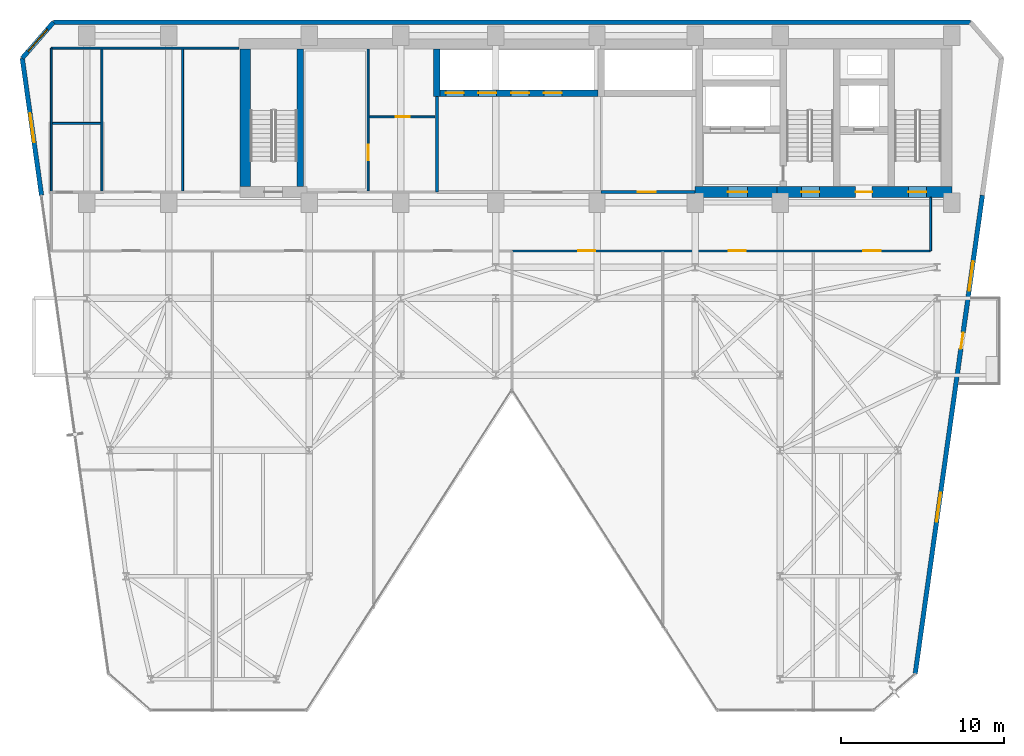
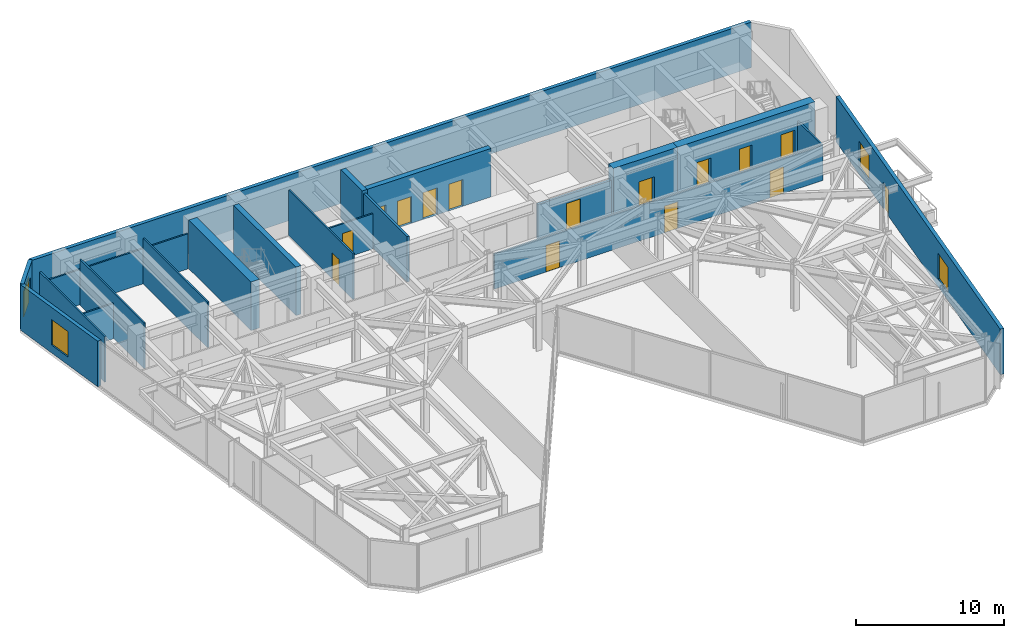
# One storey, part 22 of 26: 21 walls, 15 doors, 4 windows, 19 openings.
"""IFC4 building model written with IfcOpenShell, lengths in metres."""

from ifc_helpers import new_model, si_unit, direction, frame, frame_2d, origin, place, context, subcontext, project, spatial, rectangle, extrude, material, layer, layer_set, type_object, element, fill, save


model = new_model("IFC4")

# Units and contexts
model_context = context("Model", 3, precision=1e-05, world=origin(), true_north=direction((0.0, 1.0)))
body_context = subcontext(model_context, "Body", "Model", "MODEL_VIEW")
ifc_project = project(units=[si_unit("LENGTHUNIT", "METRE"), si_unit("AREAUNIT", "SQUARE_METRE"), si_unit("VOLUMEUNIT", "CUBIC_METRE"), si_unit("PLANEANGLEUNIT", "RADIAN"), si_unit("MASSUNIT", "GRAM", prefix="KILO")], contexts=[model_context])

# Site, building, storey
site_placement = place(None, origin())
site = spatial("IfcSite", under=ifc_project, at=site_placement, CompositionType="ELEMENT")
building_placement = place(site_placement, origin())
building = spatial("IfcBuilding", under=site, at=building_placement, Name="Kravanh Interchange Tower", CompositionType="ELEMENT")
storey_placement = place(building_placement, frame((0.0, 0.0, 100.0)))
storey = spatial("IfcBuildingStorey", under=building, at=storey_placement, Name="L23", CompositionType="ELEMENT", Elevation=100.0)

# Wall, opening, door
ifc_material_1 = material(Name="Double Acoustic Gypsum Board and Mineral Wool")
ifc_layer_1 = layer(ifc_material_1, 0.1201171875)
ifc_layer_set_1 = layer_set([ifc_layer_1], Name="Acoustic Office Drywall Partition 120mm")
wall_type_1 = type_object("IfcWallType", Name="Acoustic Office Drywall Partition 120mm", PredefinedType="PARTITIONING", material=ifc_layer_set_1)
wall_1_placement = place(storey_placement, frame((30.800048828125, 38.068115234375, 0.0), z_axis=(0.0, 0.0, 1.0), x_axis=(0.0, 1.0, 0.0)))
wall_1 = element("IfcWall", 1, at=wall_1_placement, inside=storey, type_object=wall_type_1, Name="L23 Interior Partition 4", PredefinedType="PARTITIONING", context=body_context, shape_type="SweptSolid", body=[
    extrude(rectangle(XDim=8.673828125, YDim=0.1201171875, at=frame_2d((4.3369140625, 0.0))), origin(), (0.0, 0.0, 1.0), 3.75),
])
opening_1_placement = place(wall_1_placement, frame((1.865234375, 0.0, 0.0)))
opening_1 = element("IfcOpeningElement", 2, at=opening_1_placement, cuts=wall_1, Name="Opening D-95", PredefinedType="OPENING", context=body_context, shape_type="SweptSolid", body=[
    extrude(rectangle(XDim=0.949951171875, YDim=2.14990234375, at=frame_2d((0.47509765625, 1.074951171875))), frame((0.0, 0.070068359375, 0.0), z_axis=(0.0, -1.0, 0.0), x_axis=(1.0, 0.0, 0.0)), (0.0, 0.0, 1.0), 0.14013671875),
])
ifc_material_2 = material(Name="Laminate Solid-Core Timber", Category="wood")
door_type_1 = type_object("IfcDoorType", Name="Accessible Restroom Door 950x2150", OperationType="NOTDEFINED", PredefinedType="DOOR", material=ifc_material_2)
door_1_placement = place(opening_1_placement, origin())
door_1 = element("IfcDoor", 3, at=door_1_placement, inside=storey, type_object=door_type_1, Name="L23 Copy Hub Inner Door", OperationType="SINGLE_SWING_RIGHT", OverallHeight=2.14990234375, OverallWidth=0.949951171875, PredefinedType="DOOR", context=body_context, shape_type="SweptSolid", body=[
    extrude(rectangle(XDim=0.949951171875, YDim=2.14990234375, at=frame_2d((0.47509765625, 1.074951171875))), frame((0.0, 0.02490234375, 0.0), z_axis=(0.0, -1.0, 0.0), x_axis=(1.0, 0.0, 0.0)), (0.0, 0.0, 1.0), 0.050048828125),
])
fill(opening_1, door_1)

wall_2_placement = place(storey_placement, frame((30.867919921875, 42.60009765625, 0.0), z_axis=(0.0, 0.0, 1.0), x_axis=(1.0, 0.0, 0.0)))
wall_2 = element("IfcWall", 4, at=wall_2_placement, inside=storey, type_object=wall_type_1, Name="L23 Interior Partition 5", PredefinedType="PARTITIONING", context=body_context, shape_type="SweptSolid", body=[
    extrude(rectangle(XDim=4.01416015625, YDim=0.1201171875, at=frame_2d((2.007080078125, 0.0))), origin(), (0.0, 0.0, 1.0), 2.89404296875),
])
opening_2_placement = place(wall_2_placement, frame((1.622314453125, 0.0, 0.0)))
opening_2 = element("IfcOpeningElement", 5, at=opening_2_placement, cuts=wall_2, Name="Opening D-85", PredefinedType="OPENING", context=body_context, shape_type="SweptSolid", body=[
    extrude(rectangle(XDim=0.85009765625, YDim=2.10009765625, at=frame_2d((0.425048828125, 1.050048828125))), frame((0.0, 0.070068359375, 0.0), z_axis=(0.0, -1.0, 0.0), x_axis=(1.0, 0.0, 0.0)), (0.0, 0.0, 1.0), 0.14013671875),
])
ifc_material_3 = material(Name="Engineered Teak Veneer Timber", Category="wood")
door_type_2 = type_object("IfcDoorType", Name="En-Suite Timber Door 850x2100", OperationType="NOTDEFINED", PredefinedType="DOOR", material=ifc_material_3)
door_2_placement = place(opening_2_placement, origin())
door_2 = element("IfcDoor", 6, at=door_2_placement, inside=storey, type_object=door_type_2, Name="L23 Records Store Inner Door", OperationType="SINGLE_SWING_LEFT", OverallHeight=2.10009765625, OverallWidth=0.85009765625, PredefinedType="DOOR", context=body_context, shape_type="SweptSolid", body=[
    extrude(rectangle(XDim=0.85009765625, YDim=2.10009765625, at=frame_2d((0.425048828125, 1.050048828125))), frame((0.0, 0.02490234375, 0.0), z_axis=(0.0, -1.0, 0.0), x_axis=(1.0, 0.0, 0.0)), (0.0, 0.0, 1.0), 0.050048828125),
])
fill(opening_2, door_2)

# Walls
wall_3_placement = place(storey_placement, frame((11.419921875, 38.0, 0.0), z_axis=(0.0, 0.0, 1.0), x_axis=(0.0, 1.0, 0.0)))
element("IfcWall", 7, at=wall_3_placement, inside=storey, type_object=wall_type_1, Name="L23 Restroom West Enclosure 8", PredefinedType="PARTITIONING", context=body_context, shape_type="SweptSolid", body=[
    extrude(rectangle(XDim=8.800048828125, YDim=0.1201171875, at=frame_2d((4.39990234375, 0.0))), origin(), (0.0, 0.0, 1.0), 3.75),
])
wall_4_placement = place(storey_placement, frame((11.419921875, 46.800048828125, 0.0), z_axis=(0.0, 0.0, 1.0), x_axis=(1.0, 0.0, 0.0)))
element("IfcWall", 8, at=wall_4_placement, inside=storey, type_object=wall_type_1, Name="L23 Restroom North Enclosure 9", PredefinedType="PARTITIONING", context=body_context, shape_type="SweptSolid", body=[
    extrude(rectangle(XDim=11.47998046875, YDim=0.1201171875, at=frame_2d((5.739990234375, 0.0))), origin(), (0.0, 0.0, 1.0), 2.89404296875),
])
for number, where, z_axis, x_axis, name in (
    (9, (14.52001953125, 38.068115234375, 0.0), (0.0, 0.0, 1.0), (0.0, 1.0, 0.0), "L23 Interior Partition 10"),
    (10, (19.449951171875, 38.068115234375, 0.0), (0.0, 0.0, 1.0), (0.0, 1.0, 0.0), "L23 Interior Partition 11"),
):
    element("IfcWall", number, at=place(storey_placement, frame(where, z_axis=z_axis, x_axis=x_axis)), inside=storey, type_object=wall_type_1, Name=name, PredefinedType="PARTITIONING", context=body_context, shape_type="SweptSolid", body=[
        extrude(rectangle(XDim=8.663818359375, YDim=0.1201171875, at=frame_2d((4.33203125, 0.0))), origin(), (0.0, 0.0, 1.0), 3.75),
    ])
wall_5_placement = place(storey_placement, frame((11.488037109375, 42.199951171875, 0.0), z_axis=(0.0, 0.0, 1.0), x_axis=(1.0, 0.0, 0.0)))
element("IfcWall", 11, at=wall_5_placement, inside=storey, type_object=wall_type_1, Name="L23 Interior Partition 12", PredefinedType="PARTITIONING", context=body_context, shape_type="SweptSolid", body=[
    extrude(rectangle(XDim=2.9638671875, YDim=0.1201171875, at=frame_2d((1.48193359375, 0.0))), origin(), (0.0, 0.0, 1.0), 2.89404296875),
])

# Wall, openings, doors
wall_6_placement = place(storey_placement, frame((39.60009765625, 34.39990234375, 0.0), z_axis=(0.0, 0.0, 1.0), x_axis=(1.0, 0.0, 0.0)))
wall_6 = element("IfcWall", 12, at=wall_6_placement, inside=storey, type_object=wall_type_1, Name="L23 Interior Partition 14", PredefinedType="PARTITIONING", context=body_context, shape_type="SweptSolid", body=[
    extrude(rectangle(XDim=25.599853515625, YDim=0.1201171875, at=frame_2d((12.7998046875, 0.0))), origin(), (0.0, 0.0, 1.0), 2.89404296875),
])
opening_3_placement = place(wall_6_placement, frame((4.044677734375, 0.0, 0.0)))
opening_3 = element("IfcOpeningElement", 13, at=opening_3_placement, cuts=wall_6, Name="Opening D-105", PredefinedType="OPENING", context=body_context, shape_type="SweptSolid", body=[
    extrude(rectangle(XDim=1.050048828125, YDim=2.199951171875, at=frame_2d((0.52490234375, 1.10009765625))), frame((0.0, 0.070068359375, 0.0), z_axis=(0.0, -1.0, 0.0), x_axis=(1.0, 0.0, 0.0)), (0.0, 0.0, 1.0), 0.14013671875),
])
opening_4_placement = place(wall_6_placement, frame((13.259765625, 0.0, 0.0)))
opening_4 = element("IfcOpeningElement", 14, at=opening_4_placement, cuts=wall_6, Name="Opening D-105", PredefinedType="OPENING", context=body_context, shape_type="SweptSolid", body=[
    extrude(rectangle(XDim=1.050048828125, YDim=2.199951171875, at=frame_2d((0.52490234375, 1.10009765625))), frame((0.0, 0.070068359375, 0.0), z_axis=(0.0, -1.0, 0.0), x_axis=(1.0, 0.0, 0.0)), (0.0, 0.0, 1.0), 0.14013671875),
])
opening_5_placement = place(wall_6_placement, frame((21.489990234375, 0.0, 0.0)))
opening_5 = element("IfcOpeningElement", 15, at=opening_5_placement, cuts=wall_6, Name="Opening D-105", PredefinedType="OPENING", context=body_context, shape_type="SweptSolid", body=[
    extrude(rectangle(XDim=1.050048828125, YDim=2.199951171875, at=frame_2d((0.52490234375, 1.10009765625))), frame((0.0, 0.070068359375, 0.0), z_axis=(0.0, -1.0, 0.0), x_axis=(1.0, 0.0, 0.0)), (0.0, 0.0, 1.0), 0.14013671875),
])
ifc_material_4 = material(Name="Acoustic Glazed Oak and Aluminium", Category="aluminium")
door_type_3 = type_object("IfcDoorType", Name="Office Workplace Door 1050x2200", OperationType="NOTDEFINED", PredefinedType="DOOR", material=ifc_material_4)
door_3_placement = place(opening_3_placement, origin())
door_3 = element("IfcDoor", 16, at=door_3_placement, inside=storey, type_object=door_type_3, Name="L23 Central Executive Office Door", OperationType="SINGLE_SWING_LEFT", OverallHeight=2.199951171875, OverallWidth=1.050048828125, PredefinedType="DOOR", context=body_context, shape_type="SweptSolid", body=[
    extrude(rectangle(XDim=1.050048828125, YDim=2.199951171875, at=frame_2d((0.52490234375, 1.10009765625))), frame((0.0, 0.02490234375, 0.0), z_axis=(0.0, -1.0, 0.0), x_axis=(1.0, 0.0, 0.0)), (0.0, 0.0, 1.0), 0.050048828125),
])
fill(opening_3, door_3)
door_4_placement = place(opening_4_placement, origin())
door_4 = element("IfcDoor", 17, at=door_4_placement, inside=storey, type_object=door_type_3, Name="L23 East Balcony Office Door", OperationType="SINGLE_SWING_RIGHT", OverallHeight=2.199951171875, OverallWidth=1.050048828125, PredefinedType="DOOR", context=body_context, shape_type="SweptSolid", body=[
    extrude(rectangle(XDim=1.050048828125, YDim=2.199951171875, at=frame_2d((0.52490234375, 1.10009765625))), frame((0.0, 0.02490234375, 0.0), z_axis=(0.0, -1.0, 0.0), x_axis=(1.0, 0.0, 0.0)), (0.0, 0.0, 1.0), 0.050048828125),
])
fill(opening_4, door_4)
door_5_placement = place(opening_5_placement, origin())
door_5 = element("IfcDoor", 18, at=door_5_placement, inside=storey, type_object=door_type_3, Name="L23 SE Corner Lounge Door", OperationType="SINGLE_SWING_LEFT", OverallHeight=2.199951171875, OverallWidth=1.050048828125, PredefinedType="DOOR", context=body_context, shape_type="SweptSolid", body=[
    extrude(rectangle(XDim=1.050048828125, YDim=2.199951171875, at=frame_2d((0.52490234375, 1.10009765625))), frame((0.0, 0.02490234375, 0.0), z_axis=(0.0, -1.0, 0.0), x_axis=(1.0, 0.0, 0.0)), (0.0, 0.0, 1.0), 0.050048828125),
])
fill(opening_5, door_5)

# Wall
wall_7_placement = place(storey_placement, frame((65.199951171875, 34.39990234375, 0.0), z_axis=(0.0, 0.0, 1.0), x_axis=(0.0, 1.0, 0.0)))
element("IfcWall", 19, at=wall_7_placement, inside=storey, type_object=wall_type_1, Name="L23 Interior Partition 16", PredefinedType="PARTITIONING", context=body_context, shape_type="SweptSolid", body=[
    extrude(rectangle(XDim=3.26708984375, YDim=0.1201171875, at=frame_2d((1.633544921875, 0.0))), origin(), (0.0, 0.0, 1.0), 2.89404296875),
])

# Wall, openings, doors
ifc_material_5 = material(Name="Concrete C70/85", Category="concrete")
ifc_layer_2 = layer(ifc_material_5, 0.64990234375)
ifc_layer_set_2 = layer_set([ifc_layer_2], Name="Core Shear Wall Concrete C70/85 650mm")
wall_type_2 = type_object("IfcWallType", Name="Core Shear Wall Concrete C70/85 650mm", PredefinedType="SHEAR", material=ifc_layer_set_2)
wall_8_placement = place(storey_placement, frame((55.800048828125, 38.0, 0.0), z_axis=(0.0, 0.0, 1.0), x_axis=(1.0, 0.0, 0.0)))
wall_8 = element("IfcWall", 20, at=wall_8_placement, inside=storey, type_object=wall_type_2, Name="L23 East Core South Shear Wall", PredefinedType="SHEAR", context=body_context, shape_type="SweptSolid", body=[
    extrude(rectangle(XDim=10.699951171875, YDim=0.64990234375, at=frame_2d((5.35009765625, 0.0))), origin(), (0.0, 0.0, 1.0), 4.0),
])
opening_6_placement = place(wall_8_placement, frame((1.5, 0.0, 0.0)))
opening_6 = element("IfcOpeningElement", 21, at=opening_6_placement, cuts=wall_8, Name="Opening D-STAIR-110", PredefinedType="OPENING", context=body_context, shape_type="SweptSolid", body=[
    extrude(rectangle(XDim=1.10009765625, YDim=2.199951171875, at=frame_2d((0.550048828125, 1.10009765625))), frame((0.0, 0.3349609375, 0.0), z_axis=(0.0, -1.0, 0.0), x_axis=(1.0, 0.0, 0.0)), (0.0, 0.0, 1.0), 0.669921875),
])
opening_7_placement = place(wall_8_placement, frame((4.820068359375, 0.0, 0.0)))
opening_7 = element("IfcOpeningElement", 22, at=opening_7_placement, cuts=wall_8, Name="Opening D-HOTEL-100", PredefinedType="OPENING", context=body_context, shape_type="SweptSolid", body=[
    extrude(rectangle(XDim=1.0, YDim=2.14990234375, at=frame_2d((0.5, 1.074951171875))), frame((0.0, 0.3349609375, 0.0), z_axis=(0.0, -1.0, 0.0), x_axis=(1.0, 0.0, 0.0)), (0.0, 0.0, 1.0), 0.669921875),
])
opening_8_placement = place(wall_8_placement, frame((8.050048828125, 0.0, 0.0)))
opening_8 = element("IfcOpeningElement", 23, at=opening_8_placement, cuts=wall_8, Name="Opening D-STAIR-110", PredefinedType="OPENING", context=body_context, shape_type="SweptSolid", body=[
    extrude(rectangle(XDim=1.10009765625, YDim=2.199951171875, at=frame_2d((0.550048828125, 1.10009765625))), frame((0.0, 0.3349609375, 0.0), z_axis=(0.0, -1.0, 0.0), x_axis=(1.0, 0.0, 0.0)), (0.0, 0.0, 1.0), 0.669921875),
])
ifc_material_6 = material(Name="Structural Steel S355", Category="steel")
door_type_4 = type_object("IfcDoorType", Name="Fire-Rated Exit Stair Door 1100x2200", OperationType="NOTDEFINED", PredefinedType="DOOR", material=ifc_material_6)
door_6_placement = place(opening_6_placement, origin())
door_6 = element("IfcDoor", 24, at=door_6_placement, inside=storey, type_object=door_type_4, Name="L23 Exit Stair ST2 Door", OperationType="SINGLE_SWING_RIGHT", OverallHeight=2.199951171875, OverallWidth=1.10009765625, PredefinedType="DOOR", context=body_context, shape_type="SweptSolid", body=[
    extrude(rectangle(XDim=1.10009765625, YDim=2.199951171875, at=frame_2d((0.550048828125, 1.10009765625))), frame((0.0, 0.02490234375, 0.0), z_axis=(0.0, -1.0, 0.0), x_axis=(1.0, 0.0, 0.0)), (0.0, 0.0, 1.0), 0.050048828125),
])
fill(opening_6, door_6)
door_7_placement = place(opening_8_placement, origin())
door_7 = element("IfcDoor", 25, at=door_7_placement, inside=storey, type_object=door_type_4, Name="L23 Exit Stair ST1 Door", OperationType="SINGLE_SWING_RIGHT", OverallHeight=2.199951171875, OverallWidth=1.10009765625, PredefinedType="DOOR", context=body_context, shape_type="SweptSolid", body=[
    extrude(rectangle(XDim=1.10009765625, YDim=2.199951171875, at=frame_2d((0.550048828125, 1.10009765625))), frame((0.0, 0.02490234375, 0.0), z_axis=(0.0, -1.0, 0.0), x_axis=(1.0, 0.0, 0.0)), (0.0, 0.0, 1.0), 0.050048828125),
])
fill(opening_8, door_7)
ifc_material_7 = material(Name="Fire-Rated Solid Timber Leaf", Category="wood")
door_type_5 = type_object("IfcDoorType", Name="Fire-Rated Suite Entrance Door 1000x2150", OperationType="NOTDEFINED", PredefinedType="DOOR", material=ifc_material_7)
door_8_placement = place(opening_7_placement, origin())
door_8 = element("IfcDoor", 26, at=door_8_placement, inside=storey, type_object=door_type_5, Name="L23 Service Lift Lobby Door", OperationType="SINGLE_SWING_RIGHT", OverallHeight=2.14990234375, OverallWidth=1.0, PredefinedType="DOOR", context=body_context, shape_type="SweptSolid", body=[
    extrude(rectangle(XDim=1.0, YDim=2.14990234375, at=frame_2d((0.5, 1.074951171875))), frame((0.0, 0.02490234375, 0.0), z_axis=(0.0, -1.0, 0.0), x_axis=(1.0, 0.0, 0.0)), (0.0, 0.0, 1.0), 0.050048828125),
])
fill(opening_7, door_8)

# Wall, opening, door
wall_9_placement = place(storey_placement, frame((50.800048828125, 38.0, 0.0), z_axis=(0.0, 0.0, 1.0), x_axis=(1.0, 0.0, 0.0)))
wall_9 = element("IfcWall", 27, at=wall_9_placement, inside=storey, type_object=wall_type_2, Name="L23 Firefighting Lobby South Shear Wall", PredefinedType="SHEAR", context=body_context, shape_type="SweptSolid", body=[
    extrude(rectangle(XDim=5.0, YDim=0.64990234375, at=frame_2d((2.5, 0.0))), origin(), (0.0, 0.0, 1.0), 4.0),
])
opening_9_placement = place(wall_9_placement, frame((2.0, 0.0, 0.0)))
opening_9 = element("IfcOpeningElement", 28, at=opening_9_placement, cuts=wall_9, Name="Opening D-FSAE-120", PredefinedType="OPENING", context=body_context, shape_type="SweptSolid", body=[
    extrude(rectangle(XDim=1.199951171875, YDim=2.199951171875, at=frame_2d((0.60009765625, 1.10009765625))), frame((0.0, 0.3349609375, 0.0), z_axis=(0.0, -1.0, 0.0), x_axis=(1.0, 0.0, 0.0)), (0.0, 0.0, 1.0), 0.669921875),
])
ifc_material_8 = material(Name="Structural Steel S355", Category="steel")
door_type_6 = type_object("IfcDoorType", Name="Fire-Rated Refuge and FSAE Door 1200x2200", OperationType="NOTDEFINED", PredefinedType="DOOR", material=ifc_material_8)
door_9_placement = place(opening_9_placement, origin())
door_9 = element("IfcDoor", 29, at=door_9_placement, inside=storey, type_object=door_type_6, Name="L23 Firefighting Lobby Corridor Door", OperationType="SINGLE_SWING_RIGHT", OverallHeight=2.199951171875, OverallWidth=1.199951171875, PredefinedType="DOOR", context=body_context, shape_type="SweptSolid", body=[
    extrude(rectangle(XDim=1.199951171875, YDim=2.199951171875, at=frame_2d((0.60009765625, 1.10009765625))), frame((0.0, 0.02490234375, 0.0), z_axis=(0.0, -1.0, 0.0), x_axis=(1.0, 0.0, 0.0)), (0.0, 0.0, 1.0), 0.050048828125),
])
fill(opening_9, door_9)

# Wall
wall_10_placement = place(storey_placement, frame((23.27490234375, 38.324951171875, 0.0), z_axis=(0.0, 0.0, 1.0), x_axis=(0.0, 1.0, 0.0)))
element("IfcWall", 30, at=wall_10_placement, inside=storey, type_object=wall_type_2, Name="L23 Stair ST3 West Shear Wall", PredefinedType="SHEAR", context=body_context, shape_type="SweptSolid", body=[
    extrude(rectangle(XDim=8.425048828125, YDim=0.64990234375, at=frame_2d((4.21240234375, 0.0))), origin(), (0.0, 0.0, 1.0), 4.0),
])

# Wall, openings, doors
ifc_material_9 = material(Name="Concrete C80/95", Category="concrete")
ifc_layer_3 = layer(ifc_material_9, 0.39990234375)
ifc_layer_set_3 = layer_set([ifc_layer_3], Name="Core Shear Wall Concrete C80/95 400mm")
wall_type_3 = type_object("IfcWallType", Name="Core Shear Wall Concrete C80/95 400mm", PredefinedType="SHEAR", material=ifc_layer_set_3)
wall_11_placement = place(storey_placement, frame((35.199951171875, 44.050048828125, 0.0), z_axis=(0.0, 0.0, 1.0), x_axis=(1.0, 0.0, 0.0)))
wall_11 = element("IfcWall", 31, at=wall_11_placement, inside=storey, type_object=wall_type_3, Name="L23 Mid-Rise Lift Shaft South Wall", PredefinedType="SHEAR", context=body_context, shape_type="SweptSolid", body=[
    extrude(rectangle(XDim=9.650146484375, YDim=0.39990234375, at=frame_2d((4.8251953125, 0.0))), origin(), (0.0, 0.0, 1.0), 4.0),
])
opening_10_placement = place(wall_11_placement, frame((0.35009765625, 0.0, 0.0)))
opening_10 = element("IfcOpeningElement", 32, at=opening_10_placement, cuts=wall_11, Name="Opening LD01", PredefinedType="OPENING", context=body_context, shape_type="SweptSolid", body=[
    extrude(rectangle(XDim=1.10009765625, YDim=2.199951171875, at=frame_2d((0.550048828125, 1.10009765625))), frame((0.0, 0.2099609375, 0.0), z_axis=(0.0, -1.0, 0.0), x_axis=(1.0, 0.0, 0.0)), (0.0, 0.0, 1.0), 0.419921875),
])
opening_11_placement = place(wall_11_placement, frame((2.35009765625, 0.0, 0.0)))
opening_11 = element("IfcOpeningElement", 33, at=opening_11_placement, cuts=wall_11, Name="Opening LD01", PredefinedType="OPENING", context=body_context, shape_type="SweptSolid", body=[
    extrude(rectangle(XDim=1.10009765625, YDim=2.199951171875, at=frame_2d((0.550048828125, 1.10009765625))), frame((0.0, 0.2099609375, 0.0), z_axis=(0.0, -1.0, 0.0), x_axis=(1.0, 0.0, 0.0)), (0.0, 0.0, 1.0), 0.419921875),
])
opening_12_placement = place(wall_11_placement, frame((4.35009765625, 0.0, 0.0)))
opening_12 = element("IfcOpeningElement", 34, at=opening_12_placement, cuts=wall_11, Name="Opening LD01", PredefinedType="OPENING", context=body_context, shape_type="SweptSolid", body=[
    extrude(rectangle(XDim=1.10009765625, YDim=2.199951171875, at=frame_2d((0.550048828125, 1.10009765625))), frame((0.0, 0.2099609375, 0.0), z_axis=(0.0, -1.0, 0.0), x_axis=(1.0, 0.0, 0.0)), (0.0, 0.0, 1.0), 0.419921875),
])
opening_13_placement = place(wall_11_placement, frame((6.35009765625, 0.0, 0.0)))
opening_13 = element("IfcOpeningElement", 35, at=opening_13_placement, cuts=wall_11, Name="Opening LD01", PredefinedType="OPENING", context=body_context, shape_type="SweptSolid", body=[
    extrude(rectangle(XDim=1.10009765625, YDim=2.199951171875, at=frame_2d((0.550048828125, 1.10009765625))), frame((0.0, 0.2099609375, 0.0), z_axis=(0.0, -1.0, 0.0), x_axis=(1.0, 0.0, 0.0)), (0.0, 0.0, 1.0), 0.419921875),
])
ifc_material_10 = material(Name="Stainless Steel 304", Category="steel")
door_type_7 = type_object("IfcDoorType", Name="Passenger Lift Sliding Landing Door 1100x2200", OperationType="DOUBLE_DOOR_SLIDING", PredefinedType="DOOR", material=ifc_material_10)
door_10_placement = place(opening_10_placement, origin())
door_10 = element("IfcDoor", 36, at=door_10_placement, inside=storey, type_object=door_type_7, Name="L23 Lift LP-M1 Landing Door", OperationType="DOUBLE_DOOR_SLIDING", OverallHeight=2.199951171875, OverallWidth=1.10009765625, PredefinedType="DOOR", context=body_context, shape_type="SweptSolid", body=[
    extrude(rectangle(XDim=1.10009765625, YDim=2.199951171875, at=frame_2d((0.550048828125, 1.10009765625))), frame((0.0, 0.02490234375, 0.0), z_axis=(0.0, -1.0, 0.0), x_axis=(1.0, 0.0, 0.0)), (0.0, 0.0, 1.0), 0.050048828125),
])
fill(opening_10, door_10)
door_11_placement = place(opening_11_placement, origin())
door_11 = element("IfcDoor", 37, at=door_11_placement, inside=storey, type_object=door_type_7, Name="L23 Lift LP-M2 Landing Door", OperationType="DOUBLE_DOOR_SLIDING", OverallHeight=2.199951171875, OverallWidth=1.10009765625, PredefinedType="DOOR", context=body_context, shape_type="SweptSolid", body=[
    extrude(rectangle(XDim=1.10009765625, YDim=2.199951171875, at=frame_2d((0.550048828125, 1.10009765625))), frame((0.0, 0.02490234375, 0.0), z_axis=(0.0, -1.0, 0.0), x_axis=(1.0, 0.0, 0.0)), (0.0, 0.0, 1.0), 0.050048828125),
])
fill(opening_11, door_11)
door_12_placement = place(opening_12_placement, origin())
door_12 = element("IfcDoor", 38, at=door_12_placement, inside=storey, type_object=door_type_7, Name="L23 Lift LP-M3 Landing Door", OperationType="DOUBLE_DOOR_SLIDING", OverallHeight=2.199951171875, OverallWidth=1.10009765625, PredefinedType="DOOR", context=body_context, shape_type="SweptSolid", body=[
    extrude(rectangle(XDim=1.10009765625, YDim=2.199951171875, at=frame_2d((0.550048828125, 1.10009765625))), frame((0.0, 0.02490234375, 0.0), z_axis=(0.0, -1.0, 0.0), x_axis=(1.0, 0.0, 0.0)), (0.0, 0.0, 1.0), 0.050048828125),
])
fill(opening_12, door_12)
door_13_placement = place(opening_13_placement, origin())
door_13 = element("IfcDoor", 39, at=door_13_placement, inside=storey, type_object=door_type_7, Name="L23 Lift LP-M4 Landing Door", OperationType="DOUBLE_DOOR_SLIDING", OverallHeight=2.199951171875, OverallWidth=1.10009765625, PredefinedType="DOOR", context=body_context, shape_type="SweptSolid", body=[
    extrude(rectangle(XDim=1.10009765625, YDim=2.199951171875, at=frame_2d((0.550048828125, 1.10009765625))), frame((0.0, 0.02490234375, 0.0), z_axis=(0.0, -1.0, 0.0), x_axis=(1.0, 0.0, 0.0)), (0.0, 0.0, 1.0), 0.050048828125),
])
fill(opening_13, door_13)

# Walls
wall_12_placement = place(storey_placement, frame((35.0, 43.85009765625, 0.0), z_axis=(0.0, 0.0, 1.0), x_axis=(0.0, 1.0, 0.0)))
element("IfcWall", 40, at=wall_12_placement, inside=storey, type_object=wall_type_3, Name="L23 Mid-Rise Lift Shaft West Wall", PredefinedType="SHEAR", context=body_context, shape_type="SweptSolid", body=[
    extrude(rectangle(XDim=2.89990234375, YDim=0.39990234375, at=frame_2d((1.449951171875, 0.0))), origin(), (0.0, 0.0, 1.0), 4.0),
])
wall_13_placement = place(storey_placement, frame((26.64990234375, 38.324951171875, 0.0), z_axis=(0.0, 0.0, 1.0), x_axis=(0.0, 1.0, 0.0)))
element("IfcWall", 41, at=wall_13_placement, inside=storey, type_object=wall_type_3, Name="L23 Stair ST3 East Shear Wall", PredefinedType="SHEAR", context=body_context, shape_type="SweptSolid", body=[
    extrude(rectangle(XDim=8.425048828125, YDim=0.39990234375, at=frame_2d((4.21240234375, 0.0))), origin(), (0.0, 0.0, 1.0), 4.0),
])

# Wall, opening, window
ifc_material_11 = material(Name="Insulated Precast Concrete C40/50 with Bronze Cladding", Category="concrete")
ifc_layer_4 = layer(ifc_material_11, 0.280029296875)
ifc_layer_set_4 = layer_set([ifc_layer_4], Name="Exterior Insulated Concrete C40/50 Bronze Spandrel Wall 280mm")
wall_type_4 = type_object("IfcWallType", Name="Exterior Insulated Concrete C40/50 Bronze Spandrel Wall 280mm", PredefinedType="STANDARD", material=ifc_layer_set_4)
wall_14_placement = place(storey_placement, frame((10.824951171875, 37.800048828125, 0.0), z_axis=(0.0, 0.0, 1.0), x_axis=(-0.139180610108, 0.990267013371, 0.0)))
wall_14 = element("IfcWall", 42, at=wall_14_placement, inside=storey, type_object=wall_type_4, Name="L23 Exterior Wall 1", PredefinedType="STANDARD", context=body_context, shape_type="SweptSolid", body=[
    extrude(rectangle(XDim=8.46728515625, YDim=0.280029296875, at=frame_2d((4.233642578125, 0.0))), origin(), (0.0, 0.0, 1.0), 3.75),
])
opening_14_placement = place(wall_14_placement, frame((3.273193359375, 0.0, 0.64990234375)))
opening_14 = element("IfcOpeningElement", 43, at=opening_14_placement, cuts=wall_14, Name="Opening WN-180X210", PredefinedType="OPENING", context=body_context, shape_type="SweptSolid", body=[
    extrude(rectangle(XDim=1.800048828125, YDim=2.10009765625, at=frame_2d((0.89990234375, 1.050048828125))), frame((0.0, 0.14990234375, 0.0), z_axis=(0.0, -1.0, 0.0), x_axis=(1.0, 0.0, 0.0)), (0.0, 0.0, 1.0), 0.300048828125),
])
ifc_material_12 = material(Name="Thermally Broken Bronze Aluminium and Low-E Glass", Category="aluminium")
window_type = type_object("IfcWindowType", Name="Tower Pier Window 1800x2100", PartitioningType="SINGLE_PANEL", PredefinedType="WINDOW", material=ifc_material_12)
window_1_placement = place(opening_14_placement, origin())
window_1 = element("IfcWindow", 44, at=window_1_placement, inside=storey, type_object=window_type, Name="L23 Corner Window 1", OverallHeight=2.10009765625, OverallWidth=1.800048828125, PartitioningType="SINGLE_PANEL", PredefinedType="WINDOW", context=body_context, shape_type="SweptSolid", body=[
    extrude(rectangle(XDim=1.800048828125, YDim=2.10009765625, at=frame_2d((0.89990234375, 1.050048828125))), frame((0.0, 0.030029296875, 0.0), z_axis=(0.0, -1.0, 0.0), x_axis=(1.0, 0.0, 0.0)), (0.0, 0.0, 1.0), 0.06005859375),
])
fill(opening_14, window_1)

wall_15_placement = place(storey_placement, frame((9.646484375, 46.184814453125, 0.0), z_axis=(0.0, 0.0, 1.0), x_axis=(0.656070644076, 0.754699483226, 0.0)))
wall_15 = element("IfcWall", 45, at=wall_15_placement, inside=storey, type_object=wall_type_4, Name="L23 Exterior Wall 2", PredefinedType="STANDARD", context=body_context, shape_type="SweptSolid", body=[
    extrude(rectangle(XDim=2.908447265625, YDim=0.280029296875, at=frame_2d((1.4541015625, 0.0))), origin(), (0.0, 0.0, 1.0), 3.75),
])
opening_15_placement = place(wall_15_placement, frame((0.541015625, 0.0, 0.64990234375)))
opening_15 = element("IfcOpeningElement", 46, at=opening_15_placement, cuts=wall_15, Name="Opening WN-180X210", PredefinedType="OPENING", context=body_context, shape_type="SweptSolid", body=[
    extrude(rectangle(XDim=1.800048828125, YDim=2.10009765625, at=frame_2d((0.89990234375, 1.050048828125))), frame((0.0, 0.14990234375, 0.0), z_axis=(0.0, -1.0, 0.0), x_axis=(1.0, 0.0, 0.0)), (0.0, 0.0, 1.0), 0.300048828125),
])
window_2_placement = place(opening_15_placement, origin())
window_2 = element("IfcWindow", 47, at=window_2_placement, inside=storey, type_object=window_type, Name="L23 Corner Window 2", OverallHeight=2.10009765625, OverallWidth=1.800048828125, PartitioningType="SINGLE_PANEL", PredefinedType="WINDOW", context=body_context, shape_type="SweptSolid", body=[
    extrude(rectangle(XDim=1.800048828125, YDim=2.10009765625, at=frame_2d((0.89990234375, 1.050048828125))), frame((0.0, 0.030029296875, 0.0), z_axis=(0.0, -1.0, 0.0), x_axis=(1.0, 0.0, 0.0)), (0.0, 0.0, 1.0), 0.06005859375),
])
fill(opening_15, window_2)

# Wall
wall_16_placement = place(storey_placement, frame((11.5546875, 48.3798828125, 0.0), z_axis=(0.0, 0.0, 1.0), x_axis=(1.0, 0.0, 0.0)))
element("IfcWall", 48, at=wall_16_placement, inside=storey, type_object=wall_type_4, Name="L23 Exterior Wall 3", PredefinedType="STANDARD", context=body_context, shape_type="SweptSolid", body=[
    extrude(rectangle(XDim=56.090576171875, YDim=0.280029296875, at=frame_2d((28.04541015625, 0.0))), origin(), (0.0, 0.0, 1.0), 3.75),
])

# Wall, openings, door, windows
wall_17_placement = place(storey_placement, frame((68.375, 37.800048828125, 0.0), z_axis=(0.0, 0.0, 1.0), x_axis=(-0.13917001236, -0.990268502811, 0.0)))
wall_17 = element("IfcWall", 49, at=wall_17_placement, inside=storey, type_object=wall_type_4, Name="L23 Exterior Wall 6", PredefinedType="STANDARD", context=body_context, shape_type="SweptSolid", body=[
    extrude(rectangle(XDim=29.548828125, YDim=0.280029296875, at=frame_2d((14.7744140625, 0.0))), origin(), (0.0, 0.0, 1.0), 3.75),
])
opening_16_placement = place(wall_17_placement, frame((8.480712890625, 0.0, 0.0)))
opening_16 = element("IfcOpeningElement", 50, at=opening_16_placement, cuts=wall_17, Name="Opening ED-BAL100", PredefinedType="OPENING", context=body_context, shape_type="SweptSolid", body=[
    extrude(rectangle(XDim=1.0, YDim=2.14990234375, at=frame_2d((0.5, 1.074951171875))), frame((0.0, 0.14990234375, 0.0), z_axis=(0.0, -1.0, 0.0), x_axis=(1.0, 0.0, 0.0)), (0.0, 0.0, 1.0), 0.300048828125),
])
opening_17_placement = place(wall_17_placement, frame((4.09130859375, 0.0, 0.64990234375)))
opening_17 = element("IfcOpeningElement", 51, at=opening_17_placement, cuts=wall_17, Name="Opening WN-180X210", PredefinedType="OPENING", context=body_context, shape_type="SweptSolid", body=[
    extrude(rectangle(XDim=1.800048828125, YDim=2.10009765625, at=frame_2d((0.89990234375, 1.050048828125))), frame((0.0, 0.14990234375, 0.0), z_axis=(0.0, -1.0, 0.0), x_axis=(1.0, 0.0, 0.0)), (0.0, 0.0, 1.0), 0.300048828125),
])
opening_18_placement = place(wall_17_placement, frame((18.3759765625, 0.0, 0.64990234375)))
opening_18 = element("IfcOpeningElement", 52, at=opening_18_placement, cuts=wall_17, Name="Opening WN-180X210", PredefinedType="OPENING", context=body_context, shape_type="SweptSolid", body=[
    extrude(rectangle(XDim=1.800048828125, YDim=2.10009765625, at=frame_2d((0.89990234375, 1.050048828125))), frame((0.0, 0.14990234375, 0.0), z_axis=(0.0, -1.0, 0.0), x_axis=(1.0, 0.0, 0.0)), (0.0, 0.0, 1.0), 0.300048828125),
])
ifc_material_13 = material(Name="Thermally Broken Bronze Aluminium and Laminated Glass", Category="aluminium")
door_type_8 = type_object("IfcDoorType", Name="Balcony Glazed Door 1000x2150", OperationType="NOTDEFINED", PredefinedType="DOOR", material=ifc_material_13)
door_14_placement = place(opening_16_placement, origin())
door_14 = element("IfcDoor", 53, at=door_14_placement, inside=storey, type_object=door_type_8, Name="L23 E Tree Balcony Access Door", OperationType="SINGLE_SWING_LEFT", OverallHeight=2.14990234375, OverallWidth=1.0, PredefinedType="DOOR", context=body_context, shape_type="SweptSolid", body=[
    extrude(rectangle(XDim=1.0, YDim=2.14990234375, at=frame_2d((0.5, 1.074951171875))), frame((0.0, 0.02490234375, 0.0), z_axis=(0.0, -1.0, 0.0), x_axis=(1.0, 0.0, 0.0)), (0.0, 0.0, 1.0), 0.050048828125),
])
fill(opening_16, door_14)
window_3_placement = place(opening_17_placement, origin())
window_3 = element("IfcWindow", 54, at=window_3_placement, inside=storey, type_object=window_type, Name="L23 Facade Window 6A", OverallHeight=2.10009765625, OverallWidth=1.800048828125, PartitioningType="SINGLE_PANEL", PredefinedType="WINDOW", context=body_context, shape_type="SweptSolid", body=[
    extrude(rectangle(XDim=1.800048828125, YDim=2.10009765625, at=frame_2d((0.89990234375, 1.050048828125))), frame((0.0, 0.030029296875, 0.0), z_axis=(0.0, -1.0, 0.0), x_axis=(1.0, 0.0, 0.0)), (0.0, 0.0, 1.0), 0.06005859375),
])
fill(opening_17, window_3)
window_4_placement = place(opening_18_placement, origin())
window_4 = element("IfcWindow", 55, at=window_4_placement, inside=storey, type_object=window_type, Name="L23 Facade Window 6B", OverallHeight=2.10009765625, OverallWidth=1.800048828125, PartitioningType="SINGLE_PANEL", PredefinedType="WINDOW", context=body_context, shape_type="SweptSolid", body=[
    extrude(rectangle(XDim=1.800048828125, YDim=2.10009765625, at=frame_2d((0.89990234375, 1.050048828125))), frame((0.0, 0.030029296875, 0.0), z_axis=(0.0, -1.0, 0.0), x_axis=(1.0, 0.0, 0.0)), (0.0, 0.0, 1.0), 0.06005859375),
])
fill(opening_18, window_4)

# Wall, opening, door
ifc_material_14 = material(Name="Autoclaved Aerated Concrete C30/37 Blockwork", Category="masonry")
ifc_layer_5 = layer(ifc_material_14, 0.179931640625)
ifc_layer_set_5 = layer_set([ifc_layer_5], Name="Fire-Rated Lobby and Corridor Wall Concrete C30/37 180mm")
wall_type_5 = type_object("IfcWallType", Name="Fire-Rated Lobby and Corridor Wall Concrete C30/37 180mm", PredefinedType="STANDARD", material=ifc_layer_set_5)
wall_18_placement = place(storey_placement, frame((45.050048828125, 38.0, 0.0), z_axis=(0.0, 0.0, 1.0), x_axis=(1.0, 0.0, 0.0)))
wall_18 = element("IfcWall", 56, at=wall_18_placement, inside=storey, type_object=wall_type_5, Name="L23 Core South Enclosure 1", PredefinedType="STANDARD", context=body_context, shape_type="SweptSolid", body=[
    extrude(rectangle(XDim=5.75, YDim=0.179931640625, at=frame_2d((2.875, 0.0))), origin(), (0.0, 0.0, 1.0), 2.89404296875),
])
opening_19_placement = place(wall_18_placement, frame((2.240478515625, 0.0, 0.0)))
opening_19 = element("IfcOpeningElement", 57, at=opening_19_placement, cuts=wall_18, Name="Opening D-SHAFT-110", PredefinedType="OPENING", context=body_context, shape_type="SweptSolid", body=[
    extrude(rectangle(XDim=1.10009765625, YDim=2.199951171875, at=frame_2d((0.550048828125, 1.10009765625))), frame((0.0, 0.10009765625, 0.0), z_axis=(0.0, -1.0, 0.0), x_axis=(1.0, 0.0, 0.0)), (0.0, 0.0, 1.0), 0.199951171875),
])
ifc_material_15 = material(Name="Fire-Rated Composite Timber Leaf", Category="wood")
door_type_9 = type_object("IfcDoorType", Name="Fire-Rated Core Support Door 1100x2200", OperationType="NOTDEFINED", PredefinedType="DOOR", material=ifc_material_15)
door_15_placement = place(opening_19_placement, origin())
door_15 = element("IfcDoor", 58, at=door_15_placement, inside=storey, type_object=door_type_9, Name="L23 Core AHU Fan Room Door", OperationType="SINGLE_SWING_RIGHT", OverallHeight=2.199951171875, OverallWidth=1.10009765625, PredefinedType="DOOR", context=body_context, shape_type="SweptSolid", body=[
    extrude(rectangle(XDim=1.10009765625, YDim=2.199951171875, at=frame_2d((0.550048828125, 1.10009765625))), frame((0.0, 0.02490234375, 0.0), z_axis=(0.0, -1.0, 0.0), x_axis=(1.0, 0.0, 0.0)), (0.0, 0.0, 1.0), 0.050048828125),
])
fill(opening_19, door_15)

# Wall
wall_19_placement = place(storey_placement, frame((35.0, 38.0, 0.0), z_axis=(0.0, 0.0, 1.0), x_axis=(0.0, 1.0, 0.0)))
element("IfcWall", 59, at=wall_19_placement, inside=storey, type_object=wall_type_5, Name="L23 Interior Partition 3", PredefinedType="STANDARD", context=body_context, shape_type="SweptSolid", body=[
    extrude(rectangle(XDim=5.85009765625, YDim=0.179931640625, at=frame_2d((2.925048828125, 0.0))), origin(), (0.0, 0.0, 1.0), 3.75),
])

save(model, "model.ifc")
